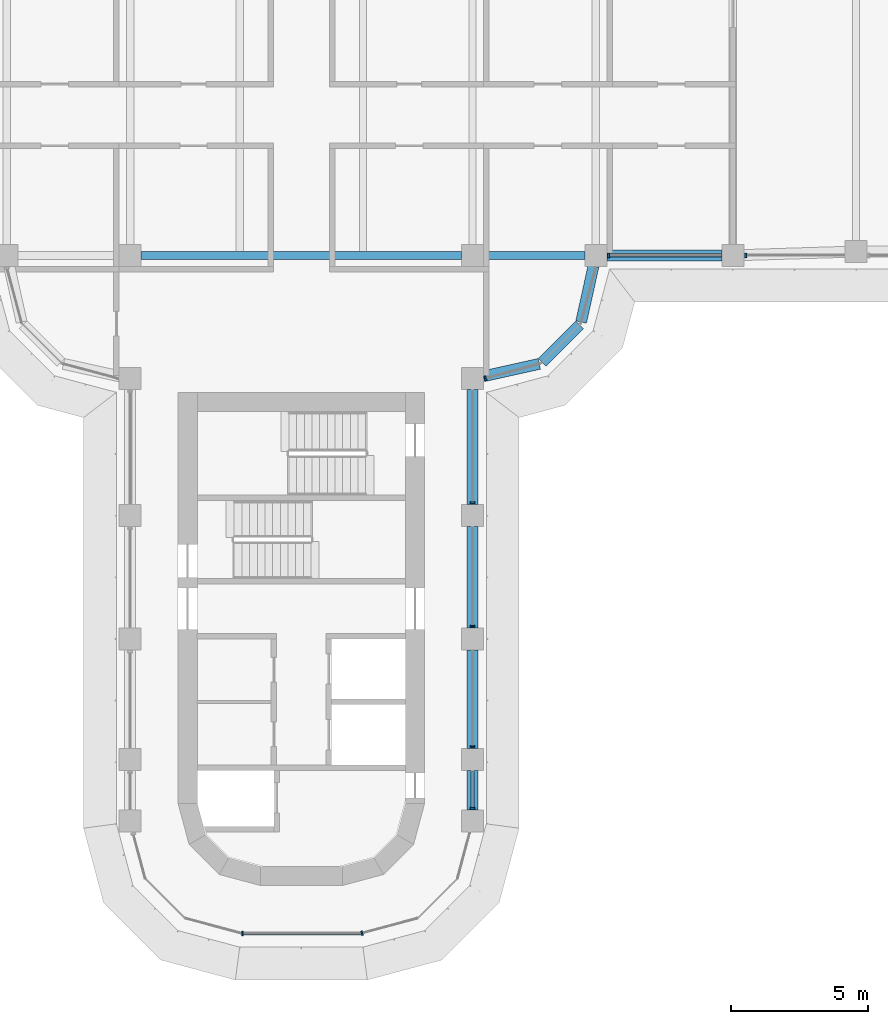
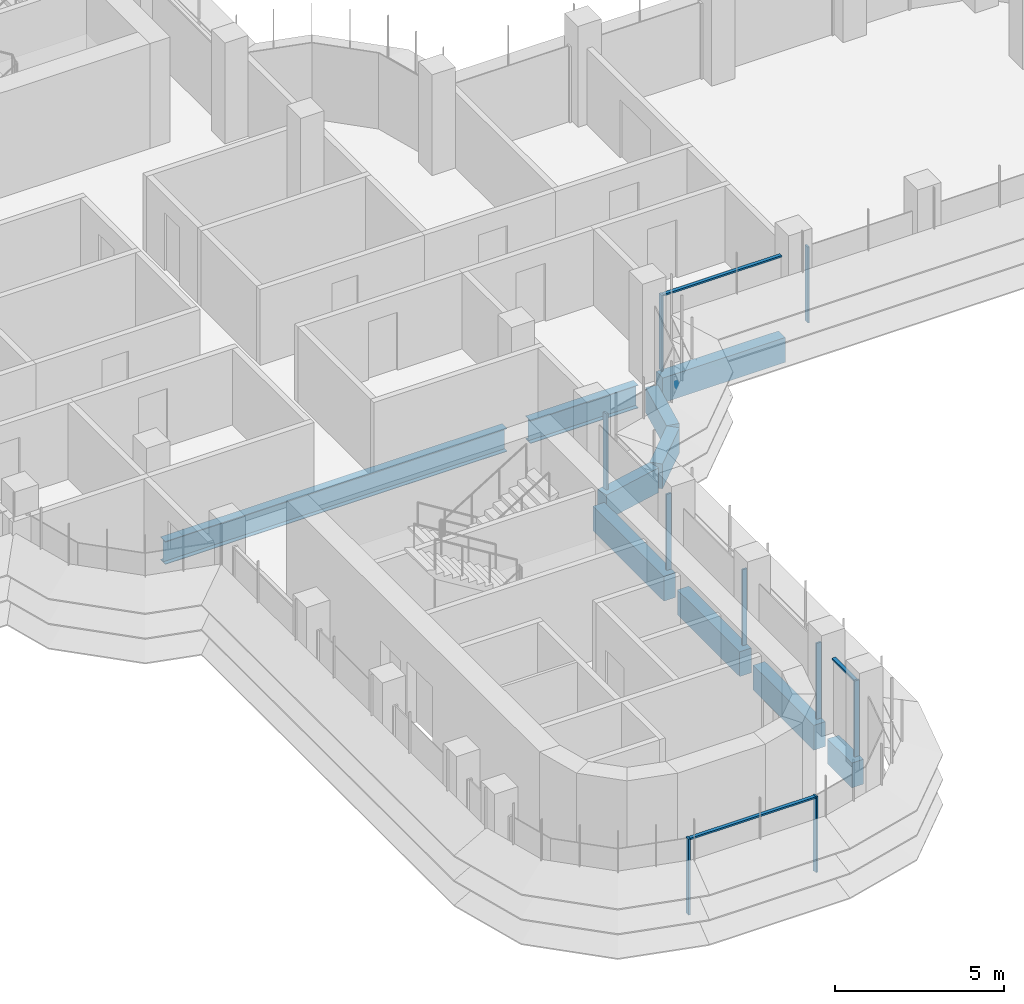
# One storey, part 4 of 20: 12 members, 10 beams, 5 elements without a shape of their own.
"""IFC4 building model written with IfcOpenShell, lengths in metres."""

from ifc_helpers import new_model, si_unit, direction, frame, origin, origin_2d, place, context, subcontext, project, spatial, polyline, rectangle, i_section, outline, extrude, source, transform, mapped, material, material_profile, profile_set, type_object, element, aggregate, save


model = new_model("IFC4")

# Units and contexts
model_context = context("Model", 3, precision=1e-05, world=origin(), true_north=direction((0.0, 1.0)))
body_context = subcontext(model_context, "Body", "Model", "MODEL_VIEW")
ifc_project = project(units=[si_unit("LENGTHUNIT", "METRE"), si_unit("AREAUNIT", "SQUARE_METRE"), si_unit("VOLUMEUNIT", "CUBIC_METRE"), si_unit("PLANEANGLEUNIT", "RADIAN"), si_unit("MASSUNIT", "GRAM", prefix="KILO")], contexts=[model_context])

# Site, building, storey
site_placement = place(None, origin())
site = spatial("IfcSite", under=ifc_project, at=site_placement, CompositionType="ELEMENT")
building_placement = place(site_placement, origin())
building = spatial("IfcBuilding", under=site, at=building_placement, Name="Zarbagh Exchange Tower", CompositionType="ELEMENT")
storey_placement = place(building_placement, frame((0.0, 0.0, 163.800048828125)))
storey = spatial("IfcBuildingStorey", under=building, at=storey_placement, Name="L39", CompositionType="ELEMENT", Elevation=163.800048828125)

# Beams
ifc_material_1 = material(Name="Steel ASTM A992 Gr 50", Category="steel")
ifc_material_profile_1 = material_profile(ifc_material_1, i_section(OverallWidth=0.2919921875, OverallDepth=0.835693359375, WebThickness=0.013916015625, FlangeThickness=0.018798828125, at=origin_2d()), Name="W33X118")
ifc_profile_set_1 = profile_set([ifc_material_profile_1], Name="Steel ASTM A992 Gr 50")
beam_type_1 = type_object("IfcBeamType", Name="Floor girder W33X118", PredefinedType="BEAM", material=ifc_profile_set_1)
beam_1_placement = place(storey_placement, frame((-5.85009765625, -6.25, -0.56787109375), z_axis=(1.0, 0.0, 0.0), x_axis=(0.0, 1.0, 0.0)))
element("IfcBeam", 1, at=beam_1_placement, inside=storey, type_object=beam_type_1, Name="Steel girder", PredefinedType="BEAM", context=body_context, shape_type="SweptSolid", body=[
    extrude(i_section(OverallWidth=0.2919921875, OverallDepth=0.835693359375, WebThickness=0.013916015625, FlangeThickness=0.018798828125, at=origin_2d()), origin(), (0.0, 0.0, 1.0), 11.7001953125),
])
beam_2_placement = place(storey_placement, frame((6.64990234375, -6.25, -0.56787109375), z_axis=(1.0, 0.0, 0.0), x_axis=(0.0, 1.0, 0.0)))
element("IfcBeam", 2, at=beam_2_placement, inside=storey, type_object=beam_type_1, Name="Steel girder", PredefinedType="BEAM", context=body_context, shape_type="SweptSolid", body=[
    extrude(i_section(OverallWidth=0.2919921875, OverallDepth=0.835693359375, WebThickness=0.013916015625, FlangeThickness=0.018798828125, at=origin_2d()), origin(), (0.0, 0.0, 1.0), 3.7001953125),
])
ifc_material_2 = material(Name="Concrete C50/60", Category="concrete")
ifc_material_profile_2 = material_profile(ifc_material_2, rectangle(XDim=0.39990234375, YDim=0.89990234375, at=origin_2d()), Name="RC spandrel beam 400 x 900 C50/60")
ifc_profile_set_2 = profile_set([ifc_material_profile_2], Name="Concrete C50/60")
beam_type_2 = type_object("IfcBeamType", Name="RC spandrel beam 400 x 900 C50/60", PredefinedType="SPANDREL", material=ifc_profile_set_2)
beam_3_placement = place(storey_placement, frame((15.35009765625, -6.25, -0.60009765625), z_axis=(-1.0, 0.0, 0.0), x_axis=(0.0, -1.0, 0.0)))
element("IfcBeam", 3, at=beam_3_placement, inside=storey, type_object=beam_type_2, Name="RC spandrel beam", PredefinedType="SPANDREL", context=body_context, shape_type="SweptSolid", body=[
    extrude(rectangle(XDim=0.39990234375, YDim=0.89990234375, at=origin_2d()), origin(), (0.0, 0.0, 1.0), 4.2001953125),
])
beam_4_placement = place(storey_placement, frame((10.66357421875, -6.640625, -0.60009765625), z_axis=(-0.216041061437, -0.976384278741, 0.0), x_axis=(0.976384278741, -0.216041061437, 0.0)))
element("IfcBeam", 4, at=beam_4_placement, inside=storey, type_object=beam_type_2, Name="RC spandrel beam", PredefinedType="SPANDREL", context=body_context, shape_type="SweptSolid", body=[
    extrude(rectangle(XDim=0.39990234375, YDim=0.89990234375, at=origin_2d()), origin(), (0.0, 0.0, 1.0), 2.0927734375),
])
beam_5_placement = place(storey_placement, frame((10.15771484375, -8.782470703125, -0.60009765625), z_axis=(-0.707106781187, -0.707106781187, 0.0), x_axis=(0.707106781187, -0.707106781187, 0.0)))
element("IfcBeam", 5, at=beam_5_placement, inside=storey, type_object=beam_type_2, Name="RC spandrel beam", PredefinedType="SPANDREL", context=body_context, shape_type="SweptSolid", body=[
    extrude(rectangle(XDim=0.39990234375, YDim=0.89990234375, at=origin_2d()), origin(), (0.0, 0.0, 1.0), 1.94482421875),
])
beam_6_placement = place(storey_placement, frame((8.68408203125, -10.21142578125, -0.60009765625), z_axis=(-0.976384278741, -0.216041061437, 0.0), x_axis=(0.216041061437, -0.976384278741, 0.0)))
element("IfcBeam", 6, at=beam_6_placement, inside=storey, type_object=beam_type_2, Name="RC spandrel beam", PredefinedType="SPANDREL", context=body_context, shape_type="SweptSolid", body=[
    extrude(rectangle(XDim=0.39990234375, YDim=0.89990234375, at=origin_2d()), origin(), (0.0, 0.0, 1.0), 2.0927734375),
])
beam_7_placement = place(storey_placement, frame((6.25, -11.14990234375, -0.60009765625), z_axis=(0.0, -1.0, 0.0), x_axis=(1.0, 0.0, 0.0)))
element("IfcBeam", 7, at=beam_7_placement, inside=storey, type_object=beam_type_2, Name="RC spandrel beam", PredefinedType="SPANDREL", context=body_context, shape_type="SweptSolid", body=[
    extrude(rectangle(XDim=0.39990234375, YDim=0.89990234375, at=origin_2d()), origin(), (0.0, 0.0, 1.0), 4.2001953125),
])
beam_8_placement = place(storey_placement, frame((6.25, -16.14990234375, -0.60009765625), z_axis=(0.0, -1.0, 0.0), x_axis=(1.0, 0.0, 0.0)))
element("IfcBeam", 8, at=beam_8_placement, inside=storey, type_object=beam_type_2, Name="RC spandrel beam", PredefinedType="SPANDREL", context=body_context, shape_type="SweptSolid", body=[
    extrude(rectangle(XDim=0.39990234375, YDim=0.89990234375, at=origin_2d()), origin(), (0.0, 0.0, 1.0), 3.7001953125),
])
beam_9_placement = place(storey_placement, frame((6.25, -20.64990234375, -0.60009765625), z_axis=(0.0, -1.0, 0.0), x_axis=(1.0, 0.0, 0.0)))
element("IfcBeam", 9, at=beam_9_placement, inside=storey, type_object=beam_type_2, Name="RC spandrel beam", PredefinedType="SPANDREL", context=body_context, shape_type="SweptSolid", body=[
    extrude(rectangle(XDim=0.39990234375, YDim=0.89990234375, at=origin_2d()), origin(), (0.0, 0.0, 1.0), 3.60009765625),
])
beam_10_placement = place(storey_placement, frame((6.25, -25.050048828125, -0.60009765625), z_axis=(0.0, -1.0, 0.0), x_axis=(1.0, 0.0, 0.0)))
element("IfcBeam", 10, at=beam_10_placement, inside=storey, type_object=beam_type_2, Name="RC spandrel beam", PredefinedType="SPANDREL", context=body_context, shape_type="SweptSolid", body=[
    extrude(rectangle(XDim=0.39990234375, YDim=0.89990234375, at=origin_2d()), origin(), (0.0, 0.0, 1.0), 1.449951171875),
])

# Curtain wall, member
ifc_material_3 = material(Name="Anodised aluminium frame and glazing", Category="aluminium")
curtain_wall_type = type_object("IfcCurtainWallType", Name="CWB Ribbon glazing, upper zones", PredefinedType="NOTDEFINED", material=ifc_material_3)
curtain_wall_1_placement = place(storey_placement, origin())
curtain_wall_1 = element("IfcCurtainWall", 11, at=curtain_wall_1_placement, inside=storey, type_object=curtain_wall_type, Name="CWB49 curtain wall", PredefinedType="NOTDEFINED")
ifc_material_4 = material(Name="Anodised aluminium frame", Category="aluminium")
member_type_1 = type_object("IfcMemberType", Name="MUB Mullion, anodised aluminium frame", PredefinedType="MULLION", material=ifc_material_4)
shared_shape_1 = source(origin(), body_context, "Body", "SweptSolid", [
    extrude(outline(polyline([(0.0, -0.080078125), (0.06005859375, -0.080078125), (0.06005859375, 0.080078125), (0.0, 0.080078125), (0.0, -0.080078125)])), origin(), (0.0, 0.0, 1.0), 2.75),
])
placement = place(storey_placement, origin())
member_1 = element("IfcMember", 12, at=placement, type_object=member_type_1, Name="CWB49 mullion 1.1", PredefinedType="MULLION", context=body_context, shape_type="MappedRepresentation", body=[
    mapped(shared_shape_1, transform((2.18408203125, -31.0, 0.0), x_axis=(0.965924289636, 0.258824779902, 0.0), y_axis=(-0.258824779902, 0.965924289636, 0.0), z_axis=(0.0, 0.0, 1.0))),
])
aggregate(curtain_wall_1, [member_1])

# Curtain wall, members
curtain_wall_2_placement = place(storey_placement, origin())
curtain_wall_2 = element("IfcCurtainWall", 13, at=curtain_wall_2_placement, inside=storey, type_object=curtain_wall_type, Name="CWB52 curtain wall", PredefinedType="NOTDEFINED")
member_2 = element("IfcMember", 14, at=placement, type_object=member_type_1, Name="CWB52 mullion 1.1", PredefinedType="MULLION", context=body_context, shape_type="MappedRepresentation", body=[
    mapped(shared_shape_1, transform((6.25, -26.4599609375, 0.0), x_axis=(0.0, 1.0, 0.0), y_axis=(-1.0, 0.0, 0.0), z_axis=(0.0, 0.0, 1.0))),
])
member_3 = element("IfcMember", 15, at=placement, type_object=member_type_1, Name="CWB52 mullion 2.1", PredefinedType="MULLION", context=body_context, shape_type="MappedRepresentation", body=[
    mapped(shared_shape_1, transform((6.25, -24.2099609375, 0.0), x_axis=(0.0, 1.0, 0.0), y_axis=(-1.0, 0.0, 0.0), z_axis=(0.0, 0.0, 1.0))),
])
member_4 = element("IfcMember", 16, at=placement, type_object=member_type_1, Name="CWB52 mullion 3.1", PredefinedType="MULLION", context=body_context, shape_type="MappedRepresentation", body=[
    mapped(shared_shape_1, transform((6.25, -19.81005859375, 0.0), x_axis=(0.0, 1.0, 0.0), y_axis=(-1.0, 0.0, 0.0), z_axis=(0.0, 0.0, 1.0))),
])
member_5 = element("IfcMember", 17, at=placement, type_object=member_type_1, Name="CWB52 mullion 4.1", PredefinedType="MULLION", context=body_context, shape_type="MappedRepresentation", body=[
    mapped(shared_shape_1, transform((6.25, -15.31005859375, 0.0), x_axis=(0.0, 1.0, 0.0), y_axis=(-1.0, 0.0, 0.0), z_axis=(0.0, 0.0, 1.0))),
])

# Curtain wall, member
curtain_wall_3_placement = place(storey_placement, origin())
curtain_wall_3 = element("IfcCurtainWall", 18, at=curtain_wall_3_placement, inside=storey, type_object=curtain_wall_type, Name="CWB05 curtain wall", PredefinedType="NOTDEFINED")
member_6 = element("IfcMember", 19, at=placement, type_object=member_type_1, Name="CWB05 mullion 1.1", PredefinedType="MULLION", context=body_context, shape_type="MappedRepresentation", body=[
    mapped(shared_shape_1, transform((6.68994140625, -10.74853515625, 0.0), x_axis=(0.965924289636, 0.258824779902, 0.0), y_axis=(-0.258824779902, 0.965924289636, 0.0), z_axis=(0.0, 0.0, 1.0))),
])
aggregate(curtain_wall_3, [member_6])

# Curtain wall, members
curtain_wall_4_placement = place(storey_placement, origin())
curtain_wall_4 = element("IfcCurtainWall", 20, at=curtain_wall_4_placement, inside=storey, type_object=curtain_wall_type, Name="CWB08 curtain wall", PredefinedType="NOTDEFINED")
member_7 = element("IfcMember", 21, at=placement, type_object=member_type_1, Name="CWB08 mullion 1.1", PredefinedType="MULLION", context=body_context, shape_type="MappedRepresentation", body=[
    mapped(shared_shape_1, transform((11.18994140625, -6.25, 0.0), x_axis=(1.0, 0.0, 0.0), y_axis=(0.0, 1.0, 0.0), z_axis=(0.0, 0.0, 1.0))),
])
member_8 = element("IfcMember", 22, at=placement, type_object=member_type_1, Name="CWB08 mullion 2.1", PredefinedType="MULLION", context=body_context, shape_type="MappedRepresentation", body=[
    mapped(shared_shape_1, transform((16.18994140625, -6.25, 0.0), x_axis=(1.0, 0.0, 0.0), y_axis=(0.0, 1.0, 0.0), z_axis=(0.0, 0.0, 1.0))),
])

curtain_wall_5_placement = place(storey_placement, origin())
curtain_wall_5 = element("IfcCurtainWall", 23, at=curtain_wall_5_placement, inside=storey, type_object=curtain_wall_type, Name="CWB57 curtain wall", PredefinedType="NOTDEFINED")
member_9 = element("IfcMember", 24, at=placement, type_object=member_type_1, Name="CWB57 mullion 1.1", PredefinedType="MULLION", context=body_context, shape_type="MappedRepresentation", body=[
    mapped(shared_shape_1, transform((-2.18408203125, -31.0, 0.0), x_axis=(1.0, 0.0, 0.0), y_axis=(0.0, 1.0, 0.0), z_axis=(0.0, 0.0, 1.0))),
])
member_type_2 = type_object("IfcMemberType", Name="TRB Transom, anodised aluminium frame", PredefinedType="USERDEFINED", material=ifc_material_4)
shared_shape_2 = source(origin(), body_context, "Body", "SweptSolid", [
    extrude(outline(polyline([(-0.06005859375, -0.06005859375), (0.0, -0.06005859375), (0.0, 0.06005859375), (-0.06005859375, 0.06005859375), (-0.06005859375, -0.06005859375)])), origin(), (0.0, 0.0, 1.0), 4.308349609375),
])
member_10 = element("IfcMember", 25, at=placement, type_object=member_type_2, Name="CWB57 transom 1.1", ObjectType="TRANSOM", PredefinedType="USERDEFINED", context=body_context, shape_type="MappedRepresentation", body=[
    mapped(shared_shape_2, transform((-2.124267578125, -31.0, 2.75), x_axis=(0.0, 0.0, 1.0), y_axis=(0.0, -1.0, 0.0), z_axis=(1.0, 0.0, 0.0))),
])
aggregate(curtain_wall_5, [member_9, member_10])

# Member
shared_shape_3 = source(origin(), body_context, "Body", "SweptSolid", [
    extrude(outline(polyline([(-0.06005859375, -0.06005859375), (0.0, -0.06005859375), (0.0, 0.06005859375), (-0.06005859375, 0.06005859375), (-0.06005859375, -0.06005859375)])), origin(), (0.0, 0.0, 1.0), 4.06005859375),
])
member_11 = element("IfcMember", 26, at=placement, type_object=member_type_2, Name="CWB08 transom 1.1", ObjectType="TRANSOM", PredefinedType="USERDEFINED", context=body_context, shape_type="MappedRepresentation", body=[
    mapped(shared_shape_3, transform((11.25, -6.25, 2.75), x_axis=(0.0, 0.0, 1.0), y_axis=(0.0, -1.0, 0.0), z_axis=(1.0, 0.0, 0.0))),
])

aggregate(curtain_wall_4, [member_7, member_11, member_8])

shared_shape_4 = source(origin(), body_context, "Body", "SweptSolid", [
    extrude(outline(polyline([(-0.06005859375, -0.06005859375), (0.0, -0.06005859375), (0.0, 0.06005859375), (-0.06005859375, 0.06005859375), (-0.06005859375, -0.06005859375)])), origin(), (0.0, 0.0, 1.0), 1.31005859375),
])
member_12 = element("IfcMember", 27, at=placement, type_object=member_type_2, Name="CWB52 transom 1.1", ObjectType="TRANSOM", PredefinedType="USERDEFINED", context=body_context, shape_type="MappedRepresentation", body=[
    mapped(shared_shape_4, transform((6.25, -26.39990234375, 2.75), x_axis=(0.0, 0.0, 1.0), y_axis=(1.0, 0.0, 0.0), z_axis=(0.0, 1.0, 0.0))),
])

aggregate(curtain_wall_2, [member_2, member_12, member_3, member_4, member_5])

save(model, "model.ifc")
